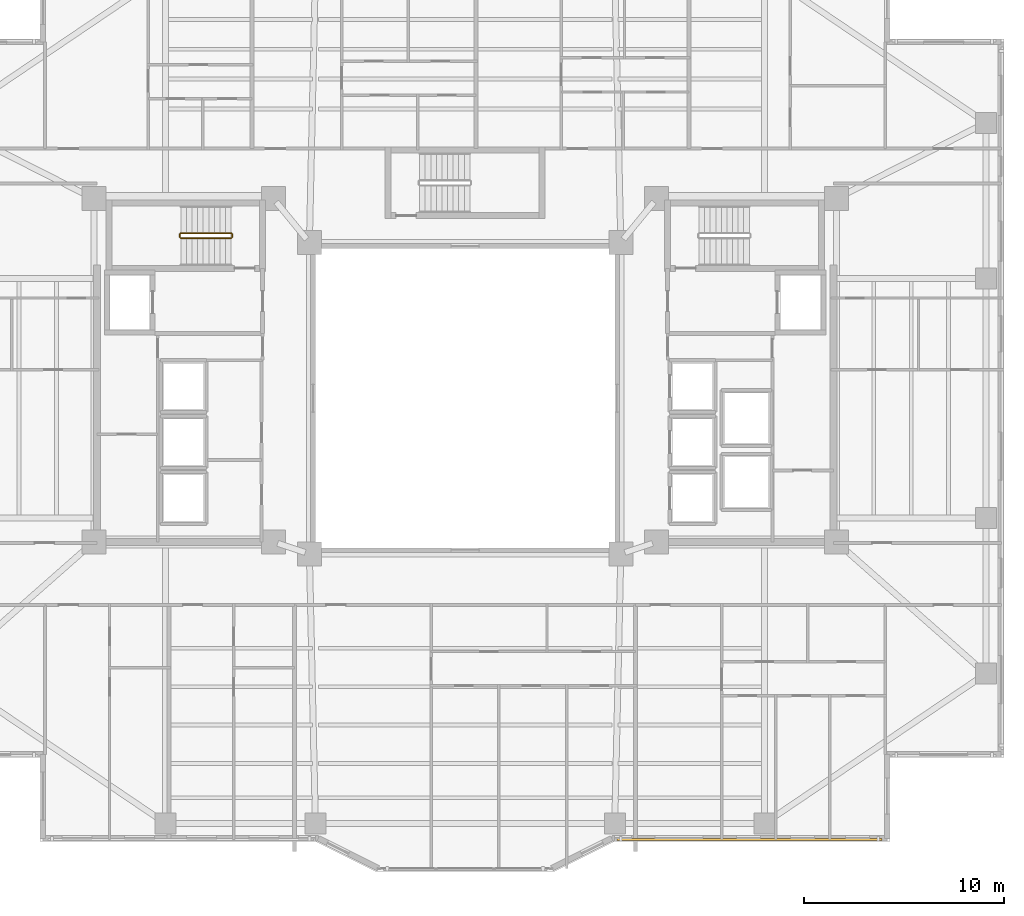
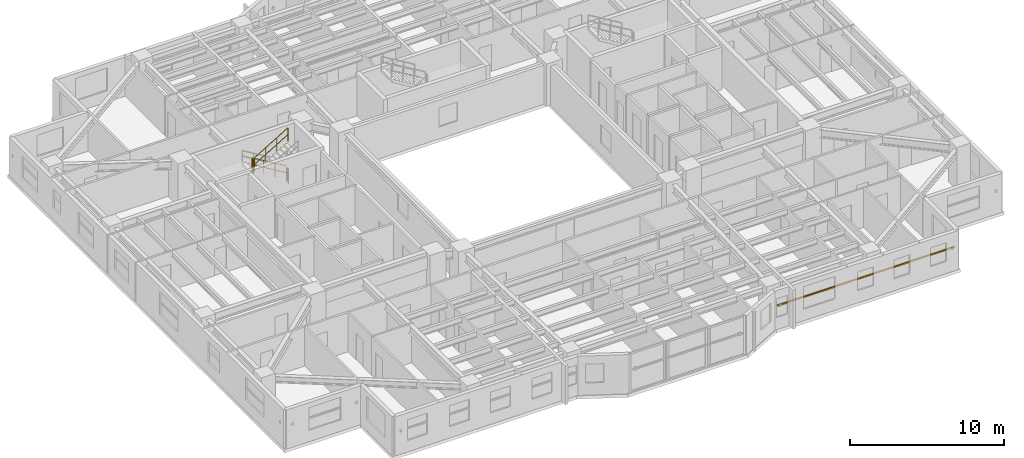
# One storey, part 16 of 19: 4 railings, 1 shading device.
"""IFC4 building model written with IfcOpenShell, lengths in metres."""

from ifc_helpers import new_model, si_unit, direction, frame, origin, origin_2d, place, context, subcontext, project, spatial, rectangle, circle, extrude, material, material_profile, profile_set, type_object, element, save


model = new_model("IFC4")

# Units and contexts
model_context = context("Model", 3, precision=1e-05, world=origin(), true_north=direction((0.0, 1.0)))
body_context = subcontext(model_context, "Body", "Model", "MODEL_VIEW")
ifc_project = project(units=[si_unit("LENGTHUNIT", "METRE"), si_unit("AREAUNIT", "SQUARE_METRE"), si_unit("VOLUMEUNIT", "CUBIC_METRE"), si_unit("PLANEANGLEUNIT", "RADIAN"), si_unit("MASSUNIT", "GRAM", prefix="KILO")], contexts=[model_context])

# Site, building, storey
site_placement = place(None, origin())
site = spatial("IfcSite", under=ifc_project, at=site_placement, CompositionType="ELEMENT")
building_placement = place(site_placement, origin())
building = spatial("IfcBuilding", under=site, at=building_placement, Name="Tarnavaz Court Tower", CompositionType="ELEMENT")
storey_placement = place(building_placement, frame((0.0, 0.0, 81.64990234375)))
storey = spatial("IfcBuildingStorey", under=building, at=storey_placement, Name="L21", CompositionType="ELEMENT", Elevation=81.64990234375)

# Railings
ifc_material_1 = material(Name="Galvanized Painted Tubular Steel", Category="steel")
railing_type = type_object("IfcRailingType", Name="RL-STGUARD-1120", PredefinedType="GUARDRAIL", material=ifc_material_1)
railing_1_placement = place(storey_placement, frame((-11.719970703125, 8.27001953125, 0.16748046875)))
element("IfcRailing", 1, at=railing_1_placement, inside=storey, type_object=railing_type, Name="L21 ST-W1 stair guard 1", PredefinedType="GUARDRAIL", context=body_context, shape_type="SweptSolid", body=[
    extrude(circle(Radius=0.02392578125, at=origin_2d()), frame((0.0, 0.0, 1.09619140625), z_axis=(-0.858159760407, 0.0, 0.513382728203), x_axis=(0.0, -1.0, 0.0)), (0.0, 0.0, 1.0), 2.9365234375),
    extrude(circle(Radius=0.02392578125, at=origin_2d()), frame((0.0, 0.0, 0.56005859375), z_axis=(-0.858159760407, 0.0, 0.513382728203), x_axis=(0.0, -1.0, 0.0)), (0.0, 0.0, 1.0), 2.9365234375),
    extrude(circle(Radius=0.02099609375, at=origin_2d()), origin(), (0.0, 0.0, 1.0), 1.072021484375),
    extrude(circle(Radius=0.02099609375, at=origin_2d()), frame((-0.840087890625, 0.0, 0.50244140625)), (0.0, 0.0, 1.0), 1.072021484375),
    extrude(circle(Radius=0.02099609375, at=origin_2d()), frame((-1.679931640625, 0.0, 1.005126953125)), (0.0, 0.0, 1.0), 1.072021484375),
    extrude(circle(Radius=0.02099609375, at=origin_2d()), frame((-2.52001953125, 0.0, 1.507568359375)), (0.0, 0.0, 1.0), 1.072021484375),
])
railing_2_placement = place(storey_placement, frame((-14.2900390625, 8.219970703125, 1.675048828125)))
element("IfcRailing", 2, at=railing_2_placement, inside=storey, type_object=railing_type, Name="L21 ST-W1 stair guard 2", PredefinedType="GUARDRAIL", context=body_context, shape_type="SweptSolid", body=[
    extrude(circle(Radius=0.02392578125, at=origin_2d()), frame((0.0, 0.0, 1.09619140625), z_axis=(0.0, -1.0, 0.0), x_axis=(1.0, 0.0, 0.0)), (0.0, 0.0, 1.0), 0.14990234375),
    extrude(circle(Radius=0.02392578125, at=origin_2d()), frame((0.0, 0.0, 0.56005859375), z_axis=(0.0, -1.0, 0.0), x_axis=(1.0, 0.0, 0.0)), (0.0, 0.0, 1.0), 0.14990234375),
    extrude(circle(Radius=0.02099609375, at=origin_2d()), origin(), (0.0, 0.0, 1.0), 1.072021484375),
    extrude(circle(Radius=0.02099609375, at=origin_2d()), frame((0.0, -0.14990234375, 0.0)), (0.0, 0.0, 1.0), 1.072021484375),
])
railing_3_placement = place(storey_placement, frame((-14.239990234375, 8.02001953125, 1.842529296875)))
element("IfcRailing", 3, at=railing_3_placement, inside=storey, type_object=railing_type, Name="L21 ST-W1 stair guard 3", PredefinedType="GUARDRAIL", context=body_context, shape_type="SweptSolid", body=[
    extrude(circle(Radius=0.02392578125, at=origin_2d()), frame((0.0, 0.0, 1.09619140625), z_axis=(0.858159760407, 0.0, 0.513382728203), x_axis=(0.0, 1.0, 0.0)), (0.0, 0.0, 1.0), 2.9365234375),
    extrude(circle(Radius=0.02392578125, at=origin_2d()), frame((0.0, 0.0, 0.56005859375), z_axis=(0.858159760407, 0.0, 0.513382728203), x_axis=(0.0, 1.0, 0.0)), (0.0, 0.0, 1.0), 2.9365234375),
    extrude(circle(Radius=0.02099609375, at=origin_2d()), origin(), (0.0, 0.0, 1.0), 1.072021484375),
    extrude(circle(Radius=0.02099609375, at=origin_2d()), frame((0.840087890625, 0.0, 0.50244140625)), (0.0, 0.0, 1.0), 1.072021484375),
    extrude(circle(Radius=0.02099609375, at=origin_2d()), frame((1.679931640625, 0.0, 1.005126953125)), (0.0, 0.0, 1.0), 1.072021484375),
    extrude(circle(Radius=0.02099609375, at=origin_2d()), frame((2.52001953125, 0.0, 1.507568359375)), (0.0, 0.0, 1.0), 1.072021484375),
])
railing_4_placement = place(storey_placement, frame((-11.669921875, 8.219970703125, 0.0)))
element("IfcRailing", 4, at=railing_4_placement, inside=storey, type_object=railing_type, Name="L21 ST-W1 stair guard 4", PredefinedType="GUARDRAIL", context=body_context, shape_type="SweptSolid", body=[
    extrude(circle(Radius=0.02392578125, at=origin_2d()), frame((0.0, 0.0, 1.09619140625), z_axis=(0.0, -1.0, 0.0), x_axis=(1.0, 0.0, 0.0)), (0.0, 0.0, 1.0), 0.14990234375),
    extrude(circle(Radius=0.02392578125, at=origin_2d()), frame((0.0, 0.0, 0.56005859375), z_axis=(0.0, -1.0, 0.0), x_axis=(1.0, 0.0, 0.0)), (0.0, 0.0, 1.0), 0.14990234375),
    extrude(circle(Radius=0.02099609375, at=origin_2d()), origin(), (0.0, 0.0, 1.0), 1.072021484375),
    extrude(circle(Radius=0.02099609375, at=origin_2d()), frame((0.0, -0.14990234375, 0.0)), (0.0, 0.0, 1.0), 1.072021484375),
])

# Shading device
ifc_material_2 = material(Name="Kiln-Fired Khorasan Terracotta Ceramic", Category="masonry")
ifc_material_profile = material_profile(ifc_material_2, rectangle(XDim=0.1201171875, YDim=0.06005859375, at=origin_2d()), Name="TC BAGUETTE 120X60")
ifc_profile_set = profile_set([ifc_material_profile], Name="Kiln-Fired Khorasan Terracotta Ceramic")
shading_device_type = type_object("IfcShadingDeviceType", Name="SD-BAG-120", PredefinedType="USERDEFINED", material=ifc_profile_set)
shading_device_placement = place(storey_placement, frame((20.89990234375, -22.110107421875, 1.85009765625), z_axis=(-1.0, 0.0, 0.0), x_axis=(0.0, -1.0, 0.0)))
element("IfcShadingDevice", 5, at=shading_device_placement, inside=storey, type_object=shading_device_type, Name="L21 Terracotta Baguette Screen FBG15", ObjectType="BAGUETTE", PredefinedType="USERDEFINED", context=body_context, shape_type="SweptSolid", body=[
    extrude(rectangle(XDim=0.1201171875, YDim=0.06005859375, at=origin_2d()), origin(), (0.0, 0.0, 1.0), 13.2998046875),
])

save(model, "model.ifc")
